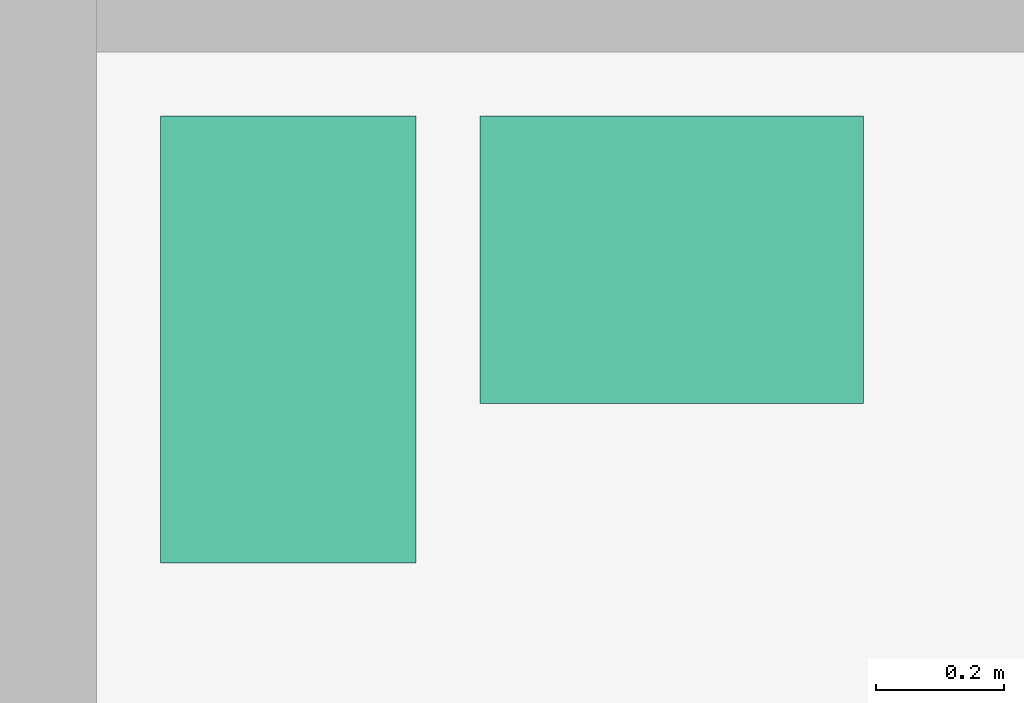
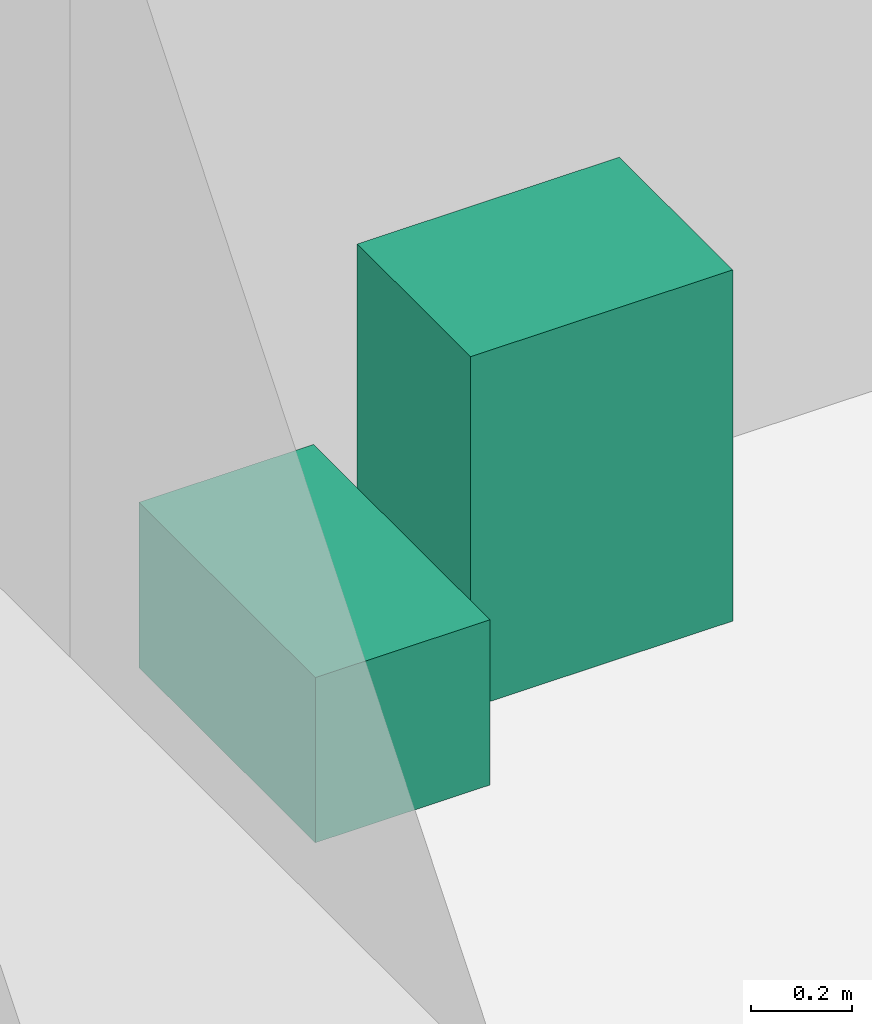
# One storey, part 14 of 14: 2 sanitary terminals.
"""IFC4 building model written with IfcOpenShell, lengths in metres."""

from ifc_helpers import new_model, si_unit, direction, frame, origin, origin_2d, place, context, subcontext, project, spatial, rectangle, extrude, element, save


model = new_model("IFC4")

# Units and contexts
model_context = context("Model", 3, precision=1e-05, world=origin(), true_north=direction((0.0, 1.0)))
body_context = subcontext(model_context, "Body", "Model", "MODEL_VIEW")
ifc_project = project(units=[si_unit("LENGTHUNIT", "METRE"), si_unit("AREAUNIT", "SQUARE_METRE"), si_unit("VOLUMEUNIT", "CUBIC_METRE"), si_unit("PLANEANGLEUNIT", "RADIAN"), si_unit("MASSUNIT", "GRAM", prefix="KILO")], contexts=[model_context])

# Site, building, storey
site_placement = place(None, origin())
site = spatial("IfcSite", under=ifc_project, at=site_placement, CompositionType="ELEMENT")
building_placement = place(site_placement, origin())
building = spatial("IfcBuilding", under=site, at=building_placement, Name="Hankou Lantern Tower", CompositionType="ELEMENT")
storey_placement = place(building_placement, frame((0.0, 0.0, 135.300048828125)))
storey = spatial("IfcBuildingStorey", under=building, at=storey_placement, Name="L35", CompositionType="ELEMENT", Elevation=135.300048828125)

# Sanitary terminals
sanitary_terminal_1_placement = place(storey_placement, frame((-11.300048828125, 3.64990234375, 0.0), z_axis=(0.0, 0.0, 1.0), x_axis=(1.0, 0.0, 0.0)))
element("IfcSanitaryTerminal", 1, at=sanitary_terminal_1_placement, inside=storey, Name="Accessible staff WC WC pan 1", PredefinedType="TOILETPAN", context=body_context, shape_type="SweptSolid", body=[
    extrude(rectangle(XDim=0.39990234375, YDim=0.699951171875, at=origin_2d()), origin(), (0.0, 0.0, 1.0), 0.39990234375),
])
sanitary_terminal_2_placement = place(storey_placement, frame((-10.699951171875, 3.77490234375, 0.0), z_axis=(0.0, 0.0, 1.0), x_axis=(1.0, 0.0, 0.0)))
element("IfcSanitaryTerminal", 2, at=sanitary_terminal_2_placement, inside=storey, Name="Accessible staff WC wash basin 1", PredefinedType="WASHHANDBASIN", context=body_context, shape_type="SweptSolid", body=[
    extrude(rectangle(XDim=0.60009765625, YDim=0.449951171875, at=origin_2d()), origin(), (0.0, 0.0, 1.0), 0.85009765625),
])

save(model, "model.ifc")
